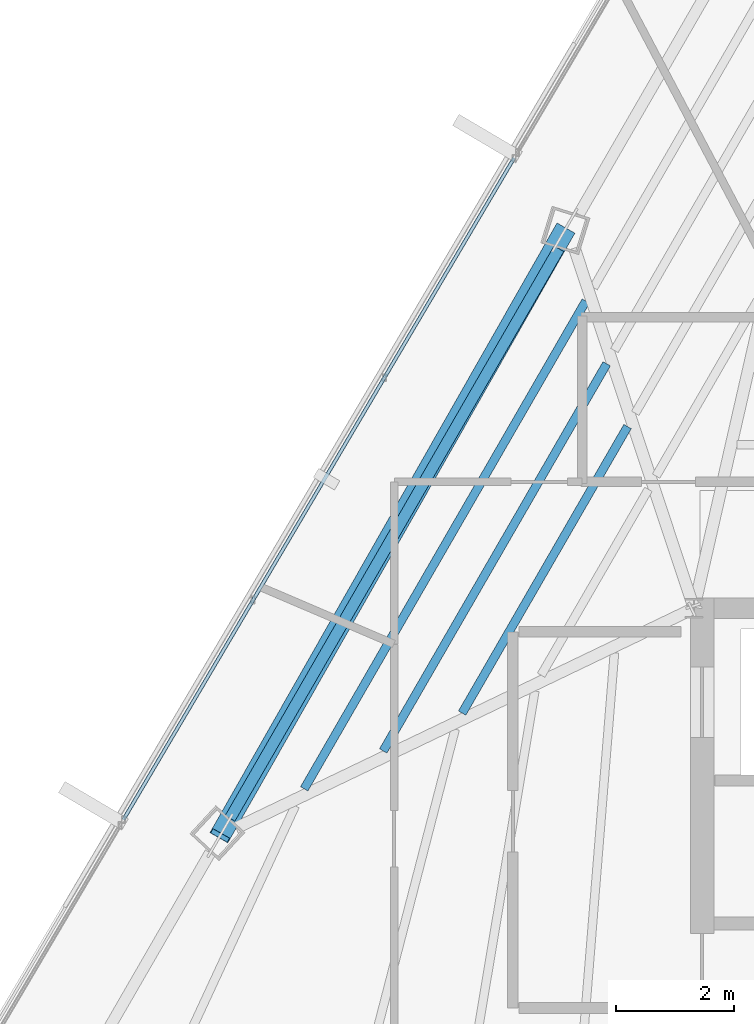
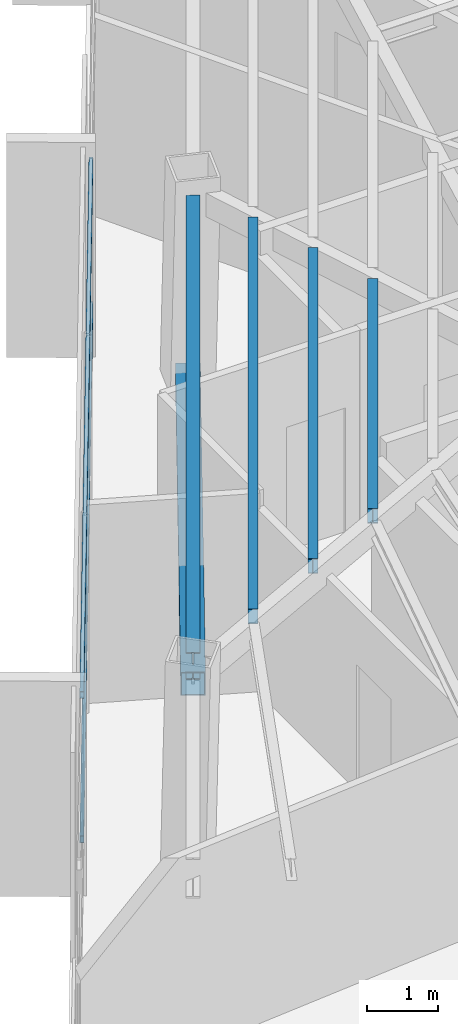
# One storey, part 16 of 44: 4 beams, 3 members, 1 element without a shape of its own.
"""IFC4 building model written with IfcOpenShell, lengths in metres."""

import ifcopenshell
import ifcopenshell.guid

model = None  # the IFC model being written
_history = None  # IfcOwnerHistory: only IFC2X3 demands one
_inside = {}  # id of a spatial element -> (the spatial element, [elements in it])
_under = {}  # id of a project, library or spatial element -> (it, [spatial elements below it])
_declared = {}  # id of a project -> (the project, [libraries it declares])
_typed = {}  # id of a type object -> (the type object, [elements of that type])
_made_of = {}  # id of a material, layer set ... -> (it, [elements and type objects made of it])


def new_model(schema):
    """Start an empty IFC model of exactly this schema.

    Asked for "IFC4X3", IfcOpenShell would pick the latest addendum, in which some entities
    have other attributes; the version numbers below select the first issue.
    IFC2X3 requires an IfcOwnerHistory on every rooted entity: one is made here for all.
    """
    global model, _history
    if schema == "IFC4X3":
        model = ifcopenshell.file(schema_version=(4, 3, 0, 0))
    else:
        model = ifcopenshell.file(schema=schema)
    _inside.clear()
    _under.clear()
    _declared.clear()
    _typed.clear()
    _made_of.clear()
    _history = None
    if model.schema == "IFC2X3":
        org = make("IfcOrganization", Name="unknown")
        user = make(
            "IfcPersonAndOrganization",
            ThePerson=make("IfcPerson", FamilyName="unknown"),
            TheOrganization=org,
        )
        app = make(
            "IfcApplication",
            ApplicationDeveloper=org,
            Version="unknown",
            ApplicationFullName="unknown",
            ApplicationIdentifier="unknown",
        )
        _history = make(
            "IfcOwnerHistory",
            OwningUser=user,
            OwningApplication=app,
            ChangeAction="ADDED",
            CreationDate=0,
        )
    return model


def make(cls, **values):
    """One entity of the class cls with the attributes given. An attribute that is None is left unset."""
    return model.create_entity(
        cls, **{name: value for name, value in values.items() if value is not None}
    )


def rooted(cls, **values):
    """An entity with a GlobalId (a new one), such as an element, a storey or a relation."""
    return make(cls, GlobalId=ifcopenshell.guid.new(), OwnerHistory=_history, **values)


def si_unit(unit_type, name, prefix=None):
    """IfcSIUnit, for example si_unit("LENGTHUNIT", "METRE", prefix="MILLI")."""
    return make("IfcSIUnit", UnitType=unit_type, Prefix=prefix, Name=name)


def assignment(units):
    """IfcUnitAssignment: the units of a project."""
    return None if units is None else make("IfcUnitAssignment", Units=units)


def point(xyz):
    """IfcCartesianPoint."""
    return None if xyz is None else make("IfcCartesianPoint", Coordinates=xyz)


def direction(xyz):
    """IfcDirection."""
    return None if xyz is None else make("IfcDirection", DirectionRatios=xyz)


def frame(location, z_axis=None, x_axis=None):
    """IfcAxis2Placement3D, a coordinate frame: its origin and axes. An axis left out is left unset."""
    return make(
        "IfcAxis2Placement3D",
        Location=point(location),
        Axis=direction(z_axis),
        RefDirection=direction(x_axis),
    )


def frame_2d(location, x_axis=None):
    """IfcAxis2Placement2D, a coordinate frame in the plane: its origin and x axis."""
    return make(
        "IfcAxis2Placement2D", Location=point(location), RefDirection=direction(x_axis)
    )


def origin():
    """The frame at (0, 0, 0) with its axes left unset."""
    return frame((0.0, 0.0, 0.0))


def origin_2d():
    """The frame at (0, 0) in the plane with its x axis left unset."""
    return frame_2d((0.0, 0.0))


def place(relative_to, where):
    """IfcLocalPlacement: puts the frame where relative to a parent placement (None: the world)."""
    return make(
        "IfcLocalPlacement", PlacementRelTo=relative_to, RelativePlacement=where
    )


def context(
    kind, dimensions, precision=None, world=None, true_north=None, identifier=None
):
    """IfcGeometricRepresentationContext, for example the 3D "Model" context."""
    return make(
        "IfcGeometricRepresentationContext",
        ContextIdentifier=identifier,
        ContextType=kind,
        CoordinateSpaceDimension=dimensions,
        Precision=precision,
        WorldCoordinateSystem=world,
        TrueNorth=true_north,
    )


def subcontext(parent, identifier, kind, view, scale=None):
    """IfcGeometricRepresentationSubContext, for example "Body" below "Model"."""
    return make(
        "IfcGeometricRepresentationSubContext",
        ContextIdentifier=identifier,
        ContextType=kind,
        ParentContext=parent,
        TargetScale=scale,
        TargetView=view,
    )


def project(units=None, contexts=None):
    """IfcProject with its units and contexts."""
    return rooted(
        "IfcProject",
        Name="project",
        RepresentationContexts=contexts,
        UnitsInContext=assignment(units),
    )


def spatial(cls, under=None, at=None, **own):
    """A site, building, storey or space (cls), placed at a placement, below another one or the project."""
    s = rooted(cls, ObjectPlacement=at, **own)
    if under is not None:
        _under.setdefault(under.id(), (under, []))[1].append(s)
    return s


def profile(cls, at=None, kind="AREA", **sizes):
    """A parametric profile (cls). Its sizes go by their IFC names, for example OverallWidth=200.0."""
    return make(cls, ProfileType=kind, Position=at, **sizes)


def hollow_rectangle(**sizes):
    """IfcRectangleHollowProfileDef."""
    return profile("IfcRectangleHollowProfileDef", **sizes)


def i_section(**sizes):
    """IfcIShapeProfileDef."""
    return profile("IfcIShapeProfileDef", **sizes)


def extrude(swept, where, along, depth):
    """IfcExtrudedAreaSolid: the profile swept, set in the frame where, extruded along a direction by depth."""
    return make(
        "IfcExtrudedAreaSolid",
        SweptArea=swept,
        Position=where,
        ExtrudedDirection=direction(along),
        Depth=depth,
    )


def shape(context_of_items, identifier, shape_type, items):
    """IfcShapeRepresentation: the items that make up one representation, for example the "Body"."""
    return make(
        "IfcShapeRepresentation",
        ContextOfItems=context_of_items,
        RepresentationIdentifier=identifier,
        RepresentationType=shape_type,
        Items=items,
    )


def source(mapping_origin, context_of_items, identifier, shape_type, items):
    """IfcRepresentationMap: a shape defined once, which mapped items show again and again."""
    return make(
        "IfcRepresentationMap",
        MappingOrigin=mapping_origin,
        MappedRepresentation=shape(context_of_items, identifier, shape_type, items),
    )


def transform(
    local_origin,
    x_axis=None,
    y_axis=None,
    z_axis=None,
    scale=None,
    scale2=None,
    scale3=None,
    uniform=True,
):
    """IfcCartesianTransformationOperator3D, or its non-uniform kind. x_axis, y_axis, z_axis: its Axis1, 2, 3."""
    if uniform:
        return make(
            "IfcCartesianTransformationOperator3D",
            Axis1=direction(x_axis),
            Axis2=direction(y_axis),
            LocalOrigin=point(local_origin),
            Scale=scale,
            Axis3=direction(z_axis),
        )
    return make(
        "IfcCartesianTransformationOperator3DnonUniform",
        Axis1=direction(x_axis),
        Axis2=direction(y_axis),
        LocalOrigin=point(local_origin),
        Scale=scale,
        Axis3=direction(z_axis),
        Scale2=scale2,
        Scale3=scale3,
    )


def mapped(mapping_source, mapping_target):
    """IfcMappedItem: shows the shape of a source again, moved by a transform."""
    return make(
        "IfcMappedItem", MappingSource=mapping_source, MappingTarget=mapping_target
    )


def material(Name=None, Category=None):
    """IfcMaterial."""
    return make("IfcMaterial", Name=Name, Category=Category)


def material_profile(
    of_material, cross_section, Name=None, Category=None, Priority=None
):
    """IfcMaterialProfile: a cross section and its material."""
    return make(
        "IfcMaterialProfile",
        Name=Name,
        Material=of_material,
        Profile=cross_section,
        Priority=Priority,
        Category=Category,
    )


def profile_set(profiles, Name=None, composite=None):
    """IfcMaterialProfileSet."""
    return make(
        "IfcMaterialProfileSet",
        Name=Name,
        MaterialProfiles=profiles,
        CompositeProfile=composite,
    )


def made_of(thing, what):
    """Note that an element or type object is made of a material, layer set ...; save() writes the relation."""
    if what is not None:
        _made_of.setdefault(what.id(), (what, []))[1].append(thing)
    return thing


def type_object(cls, material=None, **own):
    """A type object (cls), such as IfcWallType, which elements share."""
    return made_of(rooted(cls, **own), material)


def type_shapes(of_type, sources):
    """Give a type object the sources (RepresentationMaps) that its elements show as mapped items."""
    of_type.RepresentationMaps = sources


def element(
    cls,
    number,
    at=None,
    inside=None,
    cuts=None,
    type_object=None,
    material=None,
    context=None,
    identifier="Body",
    shape_type=None,
    held_by="IfcProductDefinitionShape",
    body=None,
    shapes=None,
    **own,
):
    """One element of the class cls, such as IfcWall. Its Tag is "e" and its number.

    at: its placement. inside: the storey or other place that contains it. cuts: it is an
    opening in that element (IfcRelVoidsElement). A single representation is given by context,
    identifier, shape_type and body (its items); several are given by shapes. held_by: the class
    of the entity that holds the representations. save() writes the other relations.
    """
    e = rooted(cls, Tag="e%d" % number, ObjectPlacement=at, **own)
    if body is not None:
        shapes = [shape(context, identifier, shape_type, body)]
    if shapes is not None:
        e.Representation = make(held_by, Representations=shapes)
    if inside is not None:
        _inside.setdefault(inside.id(), (inside, []))[1].append(e)
    if cuts is not None:
        rooted(
            "IfcRelVoidsElement", RelatingBuildingElement=cuts, RelatedOpeningElement=e
        )
    if type_object is not None:
        _typed.setdefault(type_object.id(), (type_object, []))[1].append(e)
    return made_of(e, material)


def aggregate(whole, parts):
    """IfcRelAggregates: a whole, such as a stair, and the parts it consists of."""
    return rooted("IfcRelAggregates", RelatingObject=whole, RelatedObjects=parts)


def save(model, path):
    """Write the relations noted so far, then the file.

    IfcRelAggregates (storeys below a building ...), IfcRelContainedInSpatialStructure (elements
    in a storey), IfcRelDefinesByType, IfcRelAssociatesMaterial and IfcRelDeclares: one each for
    every whole, place, type object, material and project.
    """
    for whole, parts in _under.values():
        aggregate(whole, parts)
    for where, things in _inside.values():
        rooted(
            "IfcRelContainedInSpatialStructure",
            RelatedElements=things,
            RelatingStructure=where,
        )
    for kind, things in _typed.values():
        rooted("IfcRelDefinesByType", RelatedObjects=things, RelatingType=kind)
    for what, things in _made_of.values():
        rooted("IfcRelAssociatesMaterial", RelatedObjects=things, RelatingMaterial=what)
    for by, libraries in _declared.values():
        rooted("IfcRelDeclares", RelatingContext=by, RelatedDefinitions=libraries)
    model.write(path)


model = new_model("IFC4")

# Units and contexts
model_context = context("Model", 3, precision=1e-05, world=origin(), true_north=direction((0.0, 1.0)))
body_context = subcontext(model_context, "Body", "Model", "MODEL_VIEW")
ifc_project = project(units=[si_unit("LENGTHUNIT", "METRE"), si_unit("AREAUNIT", "SQUARE_METRE"), si_unit("VOLUMEUNIT", "CUBIC_METRE"), si_unit("PLANEANGLEUNIT", "RADIAN"), si_unit("MASSUNIT", "GRAM", prefix="KILO")], contexts=[model_context])

# Site, building, storey
site_placement = place(None, origin())
site = spatial("IfcSite", under=ifc_project, at=site_placement, CompositionType="ELEMENT")
building_placement = place(site_placement, origin())
building = spatial("IfcBuilding", under=site, at=building_placement, Name="Caelisora Broadcast Tower", CompositionType="ELEMENT")
storey_placement = place(building_placement, frame((0.0, 0.0, 259.050048828125)))
storey = spatial("IfcBuildingStorey", under=building, at=storey_placement, Name="L68", CompositionType="ELEMENT", Elevation=259.050048828125)

# Beams
ifc_material_1 = material(Name="Steel Grade 350 (AS/NZS 3679.1)", Category="steel")
ifc_material_profile_1 = material_profile(ifc_material_1, i_section(OverallWidth=0.19091796875, OverallDepth=0.46044921875, WebThickness=0.010009765625, FlangeThickness=0.01611328125, at=origin_2d()), Name="Steel Grade 350 (AS/NZS 3679.1)")
ifc_profile_set_1 = profile_set([ifc_material_profile_1], Name="Steel Grade 350 (AS/NZS 3679.1)")
beam_type_1 = type_object("IfcBeamType", Name="PG06", PredefinedType="BEAM", material=ifc_profile_set_1)
shared_shape_1 = source(origin(), body_context, "Body", "SweptSolid", [
    extrude(i_section(OverallWidth=0.19091796875, OverallDepth=0.46044921875, WebThickness=0.010009765625, FlangeThickness=0.01611328125, at=origin_2d()), origin(), (0.0, 0.0, 1.0), 11.18994140625),
])
type_shapes(beam_type_1, [shared_shape_1])
beam_1_placement = place(storey_placement, frame((28.20263671875, 36.116943359375, 3.169677734375), z_axis=(-0.500003857942, -0.866023176389, 0.0), x_axis=(0.866023176389, -0.500003857942, 0.0)))
element("IfcBeam", 1, at=beam_1_placement, inside=storey, type_object=beam_type_1, Name="L68 beam PG06", PredefinedType="BEAM", context=body_context, shape_type="MappedRepresentation", body=[
    mapped(shared_shape_1, transform((0.0, 0.0, 0.0), scale=1.0)),
])
ifc_material_profile_2 = material_profile(ifc_material_1, i_section(OverallWidth=0.14599609375, OverallDepth=0.256103515625, WebThickness=0.00634765625, FlangeThickness=0.010986328125, at=origin_2d()), Name="Steel Grade 350 (AS/NZS 3679.1)")
ifc_profile_set_2 = profile_set([ifc_material_profile_2], Name="Steel Grade 350 (AS/NZS 3679.1)")
beam_type_2 = type_object("IfcBeamType", Name="SB04", PredefinedType="JOIST", material=ifc_profile_set_2)
shared_shape_2 = source(origin(), body_context, "Body", "SweptSolid", [
    extrude(i_section(OverallWidth=0.14599609375, OverallDepth=0.256103515625, WebThickness=0.00634765625, FlangeThickness=0.010986328125, at=origin_2d()), origin(), (0.0, 0.0, 1.0), 5.6279296875),
])
beam_2_placement = place(storey_placement, frame((29.370361328125, 33.091552734375, 3.27197265625), z_axis=(-0.49999281717, -0.866029550753, 0.0), x_axis=(0.866029550753, -0.49999281717, 0.0)))
element("IfcBeam", 2, at=beam_2_placement, inside=storey, type_object=beam_type_2, Name="L68 beam SB04", PredefinedType="JOIST", context=body_context, shape_type="MappedRepresentation", body=[
    mapped(shared_shape_2, transform((0.0, 0.0, 0.0), scale=1.0)),
])
shared_shape_3 = source(origin(), body_context, "Body", "SweptSolid", [
    extrude(i_section(OverallWidth=0.14599609375, OverallDepth=0.256103515625, WebThickness=0.00634765625, FlangeThickness=0.010986328125, at=origin_2d()), origin(), (0.0, 0.0, 1.0), 7.60546875),
])
beam_3_placement = place(storey_placement, frame((29.015625, 34.159912109375, 3.27197265625), z_axis=(-0.499991985073, -0.866030031155, 0.0), x_axis=(0.866030031155, -0.499991985073, 0.0)))
element("IfcBeam", 3, at=beam_3_placement, inside=storey, type_object=beam_type_2, Name="L68 beam SB04", PredefinedType="JOIST", context=body_context, shape_type="MappedRepresentation", body=[
    mapped(shared_shape_3, transform((0.0, 0.0, 0.0), scale=1.0)),
])
shared_shape_4 = source(origin(), body_context, "Body", "SweptSolid", [
    extrude(i_section(OverallWidth=0.14599609375, OverallDepth=0.256103515625, WebThickness=0.00634765625, FlangeThickness=0.010986328125, at=origin_2d()), origin(), (0.0, 0.0, 1.0), 9.583251953125),
])
type_shapes(beam_type_2, [shared_shape_2, shared_shape_3, shared_shape_4])
beam_4_placement = place(storey_placement, frame((28.660888671875, 35.22802734375, 3.27197265625), z_axis=(-0.499991496398, -0.866030313286, 0.0), x_axis=(0.866030313286, -0.499991496398, 0.0)))
element("IfcBeam", 4, at=beam_4_placement, inside=storey, type_object=beam_type_2, Name="L68 beam SB04", PredefinedType="JOIST", context=body_context, shape_type="MappedRepresentation", body=[
    mapped(shared_shape_4, transform((0.0, 0.0, 0.0), scale=1.0)),
])

# Member
ifc_material_2 = material(Name="Steel Grade 450 (AS/NZS 1163 C450L0)", Category="steel")
ifc_material_profile_3 = material_profile(ifc_material_2, hollow_rectangle(XDim=0.35009765625, YDim=0.35009765625, WallThickness=0.012451171875, at=origin_2d()), Name="Steel Grade 450 (AS/NZS 1163 C450L0)")
ifc_profile_set_3 = profile_set([ifc_material_profile_3], Name="Steel Grade 450 (AS/NZS 1163 C450L0)")
member_type_1 = type_object("IfcMemberType", Name="BR05", PredefinedType="BRACE", material=ifc_profile_set_3)
shared_shape_5 = source(origin(), body_context, "Body", "SweptSolid", [
    extrude(hollow_rectangle(XDim=0.35009765625, YDim=0.35009765625, WallThickness=0.012451171875, at=origin_2d()), origin(), (0.0, 0.0, 1.0), 12.2236328125),
])
type_shapes(member_type_1, [shared_shape_5])
member_1_placement = place(storey_placement, frame((28.30078125, 36.431640625, 0.099853515625), z_axis=(-0.479572072938, -0.842481762884, 0.245428413322), x_axis=(0.869062278436, -0.494702694757, 0.0)))
element("IfcMember", 5, at=member_1_placement, inside=storey, type_object=member_type_1, Name="L68 perimeter brace BR05", PredefinedType="BRACE", context=body_context, shape_type="MappedRepresentation", body=[
    mapped(shared_shape_5, transform((0.0, 0.0, 0.0), scale=1.0)),
])

# Curtain wall, members
ifc_material_3 = material(Name="Unitised Aluminium Insulated Shadow-Box Spandrel Curtain Wall", Category="aluminium")
curtain_wall_type = type_object("IfcCurtainWallType", Name="CW-SP3", PredefinedType="NOTDEFINED", material=ifc_material_3)
curtain_wall_placement = place(storey_placement, origin())
curtain_wall = element("IfcCurtainWall", 6, at=curtain_wall_placement, inside=storey, type_object=curtain_wall_type, Name="L68 curtain wall CW-SP3", PredefinedType="NOTDEFINED")
ifc_material_4 = material(Name="Aluminium 6063-T6 Anodised Terracotta Bronze", Category="aluminium")
ifc_material_profile_4 = material_profile(ifc_material_4, hollow_rectangle(XDim=0.06005859375, YDim=0.1201171875, WallThickness=0.0029296875, at=origin_2d()), Name="Aluminium 6063-T6 Anodised Terracotta Bronze")
ifc_profile_set_4 = profile_set([ifc_material_profile_4], Name="Aluminium 6063-T6 Anodised Terracotta Bronze")
member_type_2 = type_object("IfcMemberType", Name="CWT-03", PredefinedType="USERDEFINED", material=ifc_profile_set_4)
shared_shape_6 = source(origin(), body_context, "Body", "SweptSolid", [
    extrude(hollow_rectangle(XDim=0.06005859375, YDim=0.1201171875, WallThickness=0.0029296875, at=origin_2d()), origin(), (0.0, 0.0, 1.0), 13.072509765625),
])
type_shapes(member_type_2, [shared_shape_6])
member_2_placement = place(storey_placement, frame((20.793212890625, 26.403564453125, 0.849853515625), z_axis=(0.508473831265, 0.861077443044, 0.0), x_axis=(-0.861077443044, 0.508473831265, 0.0)))
member_2 = element("IfcMember", 7, at=member_2_placement, type_object=member_type_2, Name="L68-CW-B10 transom #1", ObjectType="TRANSOM", PredefinedType="USERDEFINED", context=body_context, shape_type="MappedRepresentation", body=[
    mapped(shared_shape_6, transform((0.0, 0.0, 0.0), scale=1.0)),
])
member_3_placement = place(storey_placement, frame((20.793212890625, 26.403564453125, 3.320068359375), z_axis=(0.508473831265, 0.861077443044, 0.0), x_axis=(-0.861077443044, 0.508473831265, 0.0)))
member_3 = element("IfcMember", 8, at=member_3_placement, type_object=member_type_2, Name="L68-CW-B10 transom #2", ObjectType="TRANSOM", PredefinedType="USERDEFINED", context=body_context, shape_type="MappedRepresentation", body=[
    mapped(shared_shape_6, transform((0.0, 0.0, 0.0), scale=1.0)),
])
aggregate(curtain_wall, [member_2, member_3])

save(model, "model.ifc")
